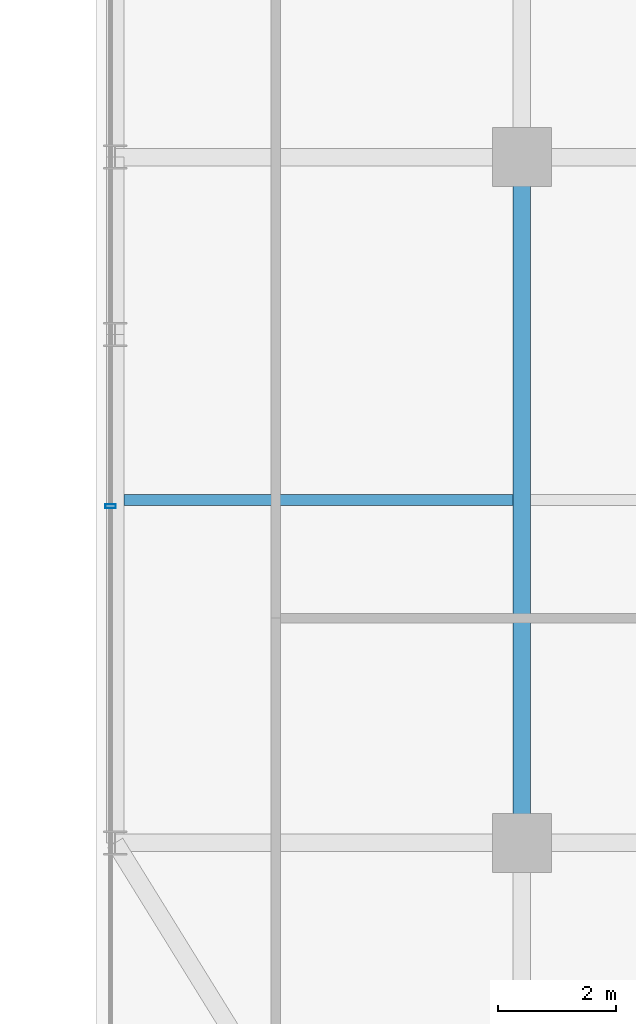
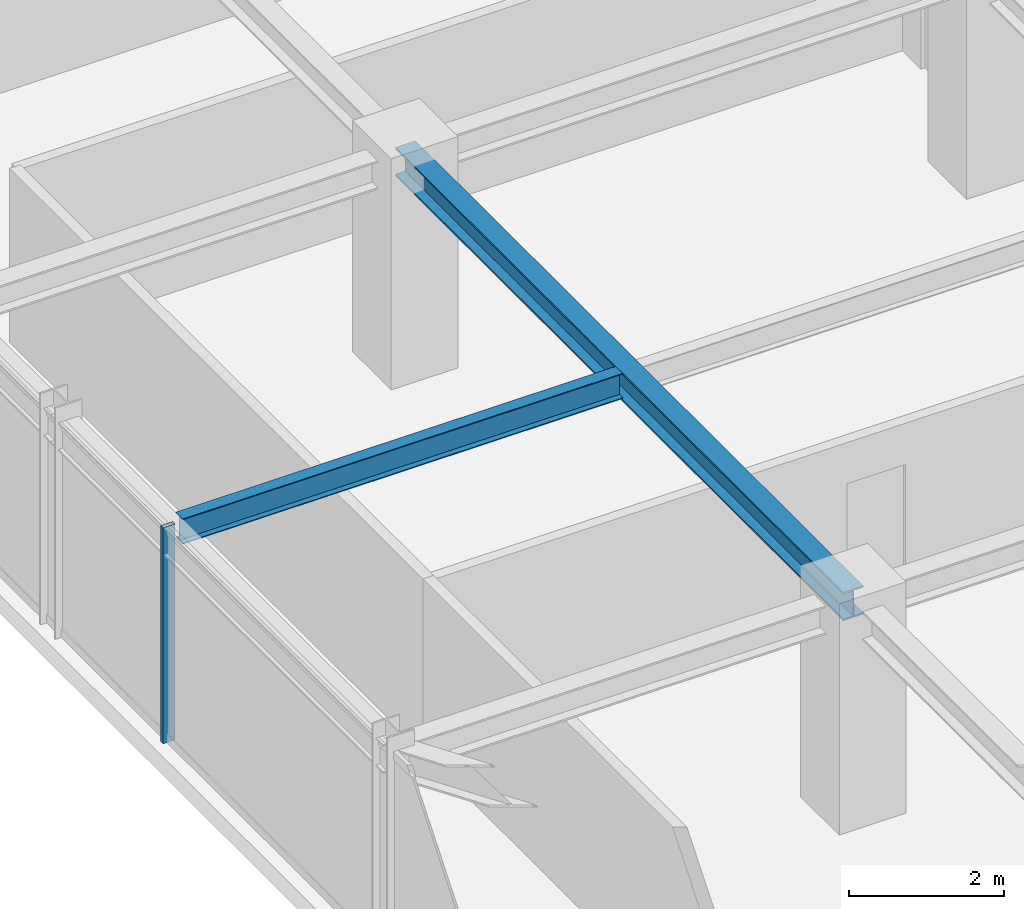
# One storey, part 6 of 41: 2 beams, 1 member, 1 element without a shape of its own.
"""IFC4 building model written with IfcOpenShell, lengths in metres."""

from ifc_helpers import new_model, si_unit, direction, frame, origin, origin_2d, place, context, subcontext, project, spatial, hollow_rectangle, i_section, extrude, source, transform, mapped, material, material_profile, profile_set, type_object, element, aggregate, save


model = new_model("IFC4")

# Units and contexts
model_context = context("Model", 3, precision=1e-05, world=origin(), true_north=direction((0.0, 1.0)))
body_context = subcontext(model_context, "Body", "Model", "MODEL_VIEW")
ifc_project = project(units=[si_unit("LENGTHUNIT", "METRE"), si_unit("AREAUNIT", "SQUARE_METRE"), si_unit("VOLUMEUNIT", "CUBIC_METRE"), si_unit("PLANEANGLEUNIT", "RADIAN"), si_unit("MASSUNIT", "GRAM", prefix="KILO")], contexts=[model_context])

# Site, building, storey
site_placement = place(None, origin())
site = spatial("IfcSite", under=ifc_project, at=site_placement, CompositionType="ELEMENT")
building_placement = place(site_placement, origin())
building = spatial("IfcBuilding", under=site, at=building_placement, Name="Nahalor Promenade Grand Hotel", CompositionType="ELEMENT")
storey_placement = place(building_placement, frame((0.0, 0.0, 227.10009765625)))
storey = spatial("IfcBuildingStorey", under=building, at=storey_placement, Name="L58", CompositionType="ELEMENT", Elevation=227.10009765625)

# Beams
ifc_material_1 = material(Name="Steel S355JR", Category="steel")
ifc_material_profile_1 = material_profile(ifc_material_1, i_section(OverallWidth=0.3, OverallDepth=0.45, WebThickness=0.014, FlangeThickness=0.026, at=origin_2d()), Name="HEB 450")
ifc_profile_set_1 = profile_set([ifc_material_profile_1], Name="Steel S355JR")
beam_type_1 = type_object("IfcBeamType", Name="Beam-Girder-HEB450", PredefinedType="BEAM", material=ifc_profile_set_1)
shared_shape_1 = source(origin(), body_context, "Body", "SweptSolid", [
    extrude(i_section(OverallWidth=0.3, OverallDepth=0.45, WebThickness=0.014, FlangeThickness=0.026, at=origin_2d()), origin(), (0.0, 0.0, 1.0), 11.60009765625),
])
beam_1_placement = place(storey_placement, frame((-17.0, -17.0, 3.184814453125), z_axis=(0.0, 1.0, 0.0), x_axis=(-1.0, 0.0, 0.0)))
element("IfcBeam", 1, at=beam_1_placement, inside=storey, type_object=beam_type_1, Name="BM-L58-GY-0-1", PredefinedType="BEAM", context=body_context, shape_type="MappedRepresentation", body=[
    mapped(shared_shape_1, transform((0.0, 0.0, 0.0), scale=1.0)),
])
ifc_material_profile_2 = material_profile(ifc_material_1, i_section(OverallWidth=0.18, OverallDepth=0.4, WebThickness=0.0086, FlangeThickness=0.0135, at=origin_2d()), Name="IPE 400")
ifc_profile_set_2 = profile_set([ifc_material_profile_2], Name="Steel S355JR")
beam_type_2 = type_object("IfcBeamType", Name="Beam-Joist-IPE400", PredefinedType="JOIST", material=ifc_profile_set_2)
shared_shape_2 = source(origin(), body_context, "Body", "SweptSolid", [
    extrude(i_section(OverallWidth=0.18, OverallDepth=0.4, WebThickness=0.0086, FlangeThickness=0.0135, at=origin_2d()), origin(), (0.0, 0.0, 1.0), 6.580078125),
])
beam_2_placement = place(storey_placement, frame((-23.72998046875, -11.199951171875, 3.2099609375), z_axis=(1.0, 0.0, 0.0), x_axis=(0.0, 1.0, 0.0)))
element("IfcBeam", 2, at=beam_2_placement, inside=storey, type_object=beam_type_2, Name="BM-L58-JSW-0-0", PredefinedType="JOIST", context=body_context, shape_type="MappedRepresentation", body=[
    mapped(shared_shape_2, transform((0.0, 0.0, 0.0), scale=1.0)),
])

# Curtain wall, member
ifc_material_2 = material(Name="Anodised Bronze Aluminium EN AW-6063 T6", Category="aluminium")
curtain_wall_type = type_object("IfcCurtainWallType", Name="CW2 Typical Hotel Flush Bronze Unitised Curtain Wall", PredefinedType="USERDEFINED", material=ifc_material_2)
curtain_wall_placement = place(storey_placement, origin())
curtain_wall = element("IfcCurtainWall", 3, at=curtain_wall_placement, inside=storey, type_object=curtain_wall_type, Name="L58 Curtain Wall CW-L58-W-1", ObjectType="UNITISED_CURTAIN_WALL", PredefinedType="USERDEFINED")
ifc_material_profile_3 = material_profile(ifc_material_2, hollow_rectangle(XDim=0.065, YDim=0.18, WallThickness=0.004, at=origin_2d()), Name="CWM 65x180x4")
ifc_profile_set_3 = profile_set([ifc_material_profile_3], Name="Anodised Bronze Aluminium EN AW-6063 T6")
member_type = type_object("IfcMemberType", Name="CWM2 Typical Bronze Mullion 65x180", PredefinedType="MULLION", material=ifc_profile_set_3)
shared_shape_3 = source(origin(), body_context, "Body", "SweptSolid", [
    extrude(hollow_rectangle(XDim=0.065, YDim=0.18, WallThickness=0.004, at=origin_2d()), origin(), (0.0, 0.0, 1.0), 3.409912109375),
])
member_placement = place(storey_placement, frame((-23.9599609375, -11.306640625, 0.0), z_axis=(0.0, 0.0, 1.0), x_axis=(0.0, 1.0, 0.0)))
member = element("IfcMember", 4, at=member_placement, type_object=member_type, Name="CW-L58-W-1 Mullion 1", PredefinedType="MULLION", context=body_context, shape_type="MappedRepresentation", body=[
    mapped(shared_shape_3, transform((0.0, 0.0, 0.0), scale=1.0)),
])
aggregate(curtain_wall, [member])

save(model, "model.ifc")
